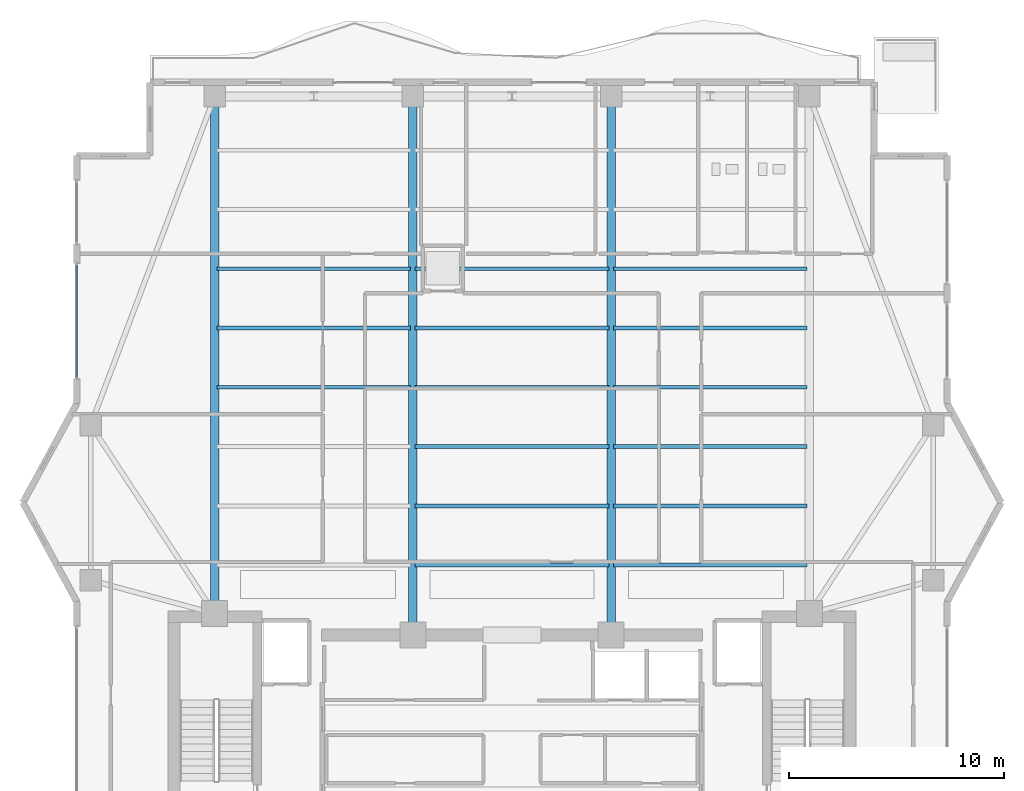
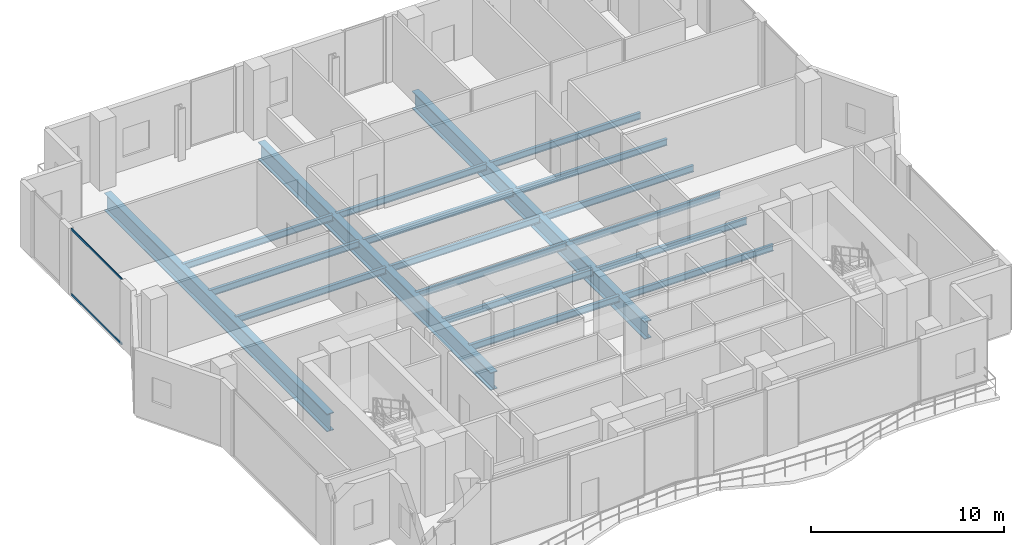
# One storey, part 7 of 24: 18 beams, 2 members, 1 element without a shape of its own.
"""IFC4 building model written with IfcOpenShell, lengths in metres."""

from ifc_helpers import new_model, si_unit, direction, frame, origin, origin_2d, place, context, subcontext, project, spatial, hollow_rectangle, i_section, extrude, material, layer, layer_set, material_profile, profile_set, type_object, element, aggregate, save


model = new_model("IFC4")

# Units and contexts
model_context = context("Model", 3, precision=1e-05, world=origin(), true_north=direction((0.0, 1.0)))
body_context = subcontext(model_context, "Body", "Model", "MODEL_VIEW")
ifc_project = project(units=[si_unit("LENGTHUNIT", "METRE"), si_unit("AREAUNIT", "SQUARE_METRE"), si_unit("VOLUMEUNIT", "CUBIC_METRE"), si_unit("PLANEANGLEUNIT", "RADIAN"), si_unit("MASSUNIT", "GRAM", prefix="KILO")], contexts=[model_context])

# Site, building, storey
site_placement = place(None, origin())
site = spatial("IfcSite", under=ifc_project, at=site_placement, CompositionType="ELEMENT")
building_placement = place(site_placement, origin())
building = spatial("IfcBuilding", under=site, at=building_placement, Name="Zuhayl Quay Hotel", CompositionType="ELEMENT")
storey_placement = place(building_placement, frame((0.0, 0.0, 292.85009765625)))
storey = spatial("IfcBuildingStorey", under=building, at=storey_placement, Name="L74", CompositionType="ELEMENT", Elevation=292.85009765625)

# Beams
ifc_material_1 = material(Name="Steel ASTM A992 Grade 50", Category="steel")
ifc_material_profile_1 = material_profile(ifc_material_1, i_section(OverallWidth=0.177978515625, OverallDepth=0.404052734375, WebThickness=0.007568359375, FlangeThickness=0.010986328125, at=origin_2d()), Name="W16X36")
ifc_profile_set_1 = profile_set([ifc_material_profile_1], Name="Steel ASTM A992 Grade 50")
beam_type_1 = type_object("IfcBeamType", Name="BM_J3_W16X36", PredefinedType="JOIST", material=ifc_profile_set_1)
beam_1_placement = place(storey_placement, frame((-4.493896484375, 16.60009765625, -0.422119140625), z_axis=(1.0, 0.0, 0.0), x_axis=(0.0, 1.0, 0.0)))
element("IfcBeam", 1, at=beam_1_placement, inside=storey, type_object=beam_type_1, Name="L74 Floor Beam FJ_L74_1_2", PredefinedType="JOIST", context=body_context, shape_type="SweptSolid", body=[
    extrude(i_section(OverallWidth=0.177978515625, OverallDepth=0.404052734375, WebThickness=0.007568359375, FlangeThickness=0.010986328125, at=origin_2d()), origin(), (0.0, 0.0, 1.0), 8.98779296875),
])
beam_2_placement = place(storey_placement, frame((4.7060546875, 16.60009765625, -0.422119140625), z_axis=(1.0, 0.0, 0.0), x_axis=(0.0, 1.0, 0.0)))
element("IfcBeam", 2, at=beam_2_placement, inside=storey, type_object=beam_type_1, Name="L74 Floor Beam FJ_L74_1_3", PredefinedType="JOIST", context=body_context, shape_type="SweptSolid", body=[
    extrude(i_section(OverallWidth=0.177978515625, OverallDepth=0.404052734375, WebThickness=0.007568359375, FlangeThickness=0.010986328125, at=origin_2d()), origin(), (0.0, 0.0, 1.0), 8.988037109375),
])
beam_3_placement = place(storey_placement, frame((-4.493896484375, 19.35009765625, -0.422119140625), z_axis=(1.0, 0.0, 0.0), x_axis=(0.0, 1.0, 0.0)))
element("IfcBeam", 3, at=beam_3_placement, inside=storey, type_object=beam_type_1, Name="L74 Floor Beam FJ_L74_2_2", PredefinedType="JOIST", context=body_context, shape_type="SweptSolid", body=[
    extrude(i_section(OverallWidth=0.177978515625, OverallDepth=0.404052734375, WebThickness=0.007568359375, FlangeThickness=0.010986328125, at=origin_2d()), origin(), (0.0, 0.0, 1.0), 8.98779296875),
])
beam_4_placement = place(storey_placement, frame((4.7060546875, 19.35009765625, -0.422119140625), z_axis=(1.0, 0.0, 0.0), x_axis=(0.0, 1.0, 0.0)))
element("IfcBeam", 4, at=beam_4_placement, inside=storey, type_object=beam_type_1, Name="L74 Floor Beam FJ_L74_2_3", PredefinedType="JOIST", context=body_context, shape_type="SweptSolid", body=[
    extrude(i_section(OverallWidth=0.177978515625, OverallDepth=0.404052734375, WebThickness=0.007568359375, FlangeThickness=0.010986328125, at=origin_2d()), origin(), (0.0, 0.0, 1.0), 8.988037109375),
])
beam_5_placement = place(storey_placement, frame((-4.493896484375, 22.10009765625, -0.422119140625), z_axis=(1.0, 0.0, 0.0), x_axis=(0.0, 1.0, 0.0)))
element("IfcBeam", 5, at=beam_5_placement, inside=storey, type_object=beam_type_1, Name="L74 Floor Beam FJ_L74_3_2", PredefinedType="JOIST", context=body_context, shape_type="SweptSolid", body=[
    extrude(i_section(OverallWidth=0.177978515625, OverallDepth=0.404052734375, WebThickness=0.007568359375, FlangeThickness=0.010986328125, at=origin_2d()), origin(), (0.0, 0.0, 1.0), 8.98779296875),
])
for number, where, z_axis, x_axis, name in (
    (6, (4.7060546875, 22.10009765625, -0.422119140625), (1.0, 0.0, 0.0), (0.0, 1.0, 0.0), "L74 Floor Beam FJ_L74_3_3"),
    (7, (-13.694091796875, 24.85009765625, -0.422119140625), (1.0, 0.0, 0.0), (0.0, 1.0, 0.0), "L74 Floor Beam FJ_L74_4_1"),
):
    element("IfcBeam", number, at=place(storey_placement, frame(where, z_axis=z_axis, x_axis=x_axis)), inside=storey, type_object=beam_type_1, Name=name, PredefinedType="JOIST", context=body_context, shape_type="SweptSolid", body=[
        extrude(i_section(OverallWidth=0.177978515625, OverallDepth=0.404052734375, WebThickness=0.007568359375, FlangeThickness=0.010986328125, at=origin_2d()), origin(), (0.0, 0.0, 1.0), 8.988037109375),
    ])
beam_6_placement = place(storey_placement, frame((-4.493896484375, 24.85009765625, -0.422119140625), z_axis=(1.0, 0.0, 0.0), x_axis=(0.0, 1.0, 0.0)))
element("IfcBeam", 8, at=beam_6_placement, inside=storey, type_object=beam_type_1, Name="L74 Floor Beam FJ_L74_4_2", PredefinedType="JOIST", context=body_context, shape_type="SweptSolid", body=[
    extrude(i_section(OverallWidth=0.177978515625, OverallDepth=0.404052734375, WebThickness=0.007568359375, FlangeThickness=0.010986328125, at=origin_2d()), origin(), (0.0, 0.0, 1.0), 8.98779296875),
])
for number, where, z_axis, x_axis, name in (
    (9, (4.7060546875, 24.85009765625, -0.422119140625), (1.0, 0.0, 0.0), (0.0, 1.0, 0.0), "L74 Floor Beam FJ_L74_4_3"),
    (10, (-13.694091796875, 27.60009765625, -0.422119140625), (1.0, 0.0, 0.0), (0.0, 1.0, 0.0), "L74 Floor Beam FJ_L74_5_1"),
):
    element("IfcBeam", number, at=place(storey_placement, frame(where, z_axis=z_axis, x_axis=x_axis)), inside=storey, type_object=beam_type_1, Name=name, PredefinedType="JOIST", context=body_context, shape_type="SweptSolid", body=[
        extrude(i_section(OverallWidth=0.177978515625, OverallDepth=0.404052734375, WebThickness=0.007568359375, FlangeThickness=0.010986328125, at=origin_2d()), origin(), (0.0, 0.0, 1.0), 8.988037109375),
    ])
beam_7_placement = place(storey_placement, frame((-4.493896484375, 27.60009765625, -0.422119140625), z_axis=(1.0, 0.0, 0.0), x_axis=(0.0, 1.0, 0.0)))
element("IfcBeam", 11, at=beam_7_placement, inside=storey, type_object=beam_type_1, Name="L74 Floor Beam FJ_L74_5_2", PredefinedType="JOIST", context=body_context, shape_type="SweptSolid", body=[
    extrude(i_section(OverallWidth=0.177978515625, OverallDepth=0.404052734375, WebThickness=0.007568359375, FlangeThickness=0.010986328125, at=origin_2d()), origin(), (0.0, 0.0, 1.0), 8.98779296875),
])
for number, where, z_axis, x_axis, name in (
    (12, (4.7060546875, 27.60009765625, -0.422119140625), (1.0, 0.0, 0.0), (0.0, 1.0, 0.0), "L74 Floor Beam FJ_L74_5_3"),
    (13, (-13.694091796875, 30.35009765625, -0.422119140625), (1.0, 0.0, 0.0), (0.0, 1.0, 0.0), "L74 Floor Beam FJ_L74_6_1"),
):
    element("IfcBeam", number, at=place(storey_placement, frame(where, z_axis=z_axis, x_axis=x_axis)), inside=storey, type_object=beam_type_1, Name=name, PredefinedType="JOIST", context=body_context, shape_type="SweptSolid", body=[
        extrude(i_section(OverallWidth=0.177978515625, OverallDepth=0.404052734375, WebThickness=0.007568359375, FlangeThickness=0.010986328125, at=origin_2d()), origin(), (0.0, 0.0, 1.0), 8.988037109375),
    ])
beam_8_placement = place(storey_placement, frame((-4.493896484375, 30.35009765625, -0.422119140625), z_axis=(1.0, 0.0, 0.0), x_axis=(0.0, 1.0, 0.0)))
element("IfcBeam", 14, at=beam_8_placement, inside=storey, type_object=beam_type_1, Name="L74 Floor Beam FJ_L74_6_2", PredefinedType="JOIST", context=body_context, shape_type="SweptSolid", body=[
    extrude(i_section(OverallWidth=0.177978515625, OverallDepth=0.404052734375, WebThickness=0.007568359375, FlangeThickness=0.010986328125, at=origin_2d()), origin(), (0.0, 0.0, 1.0), 8.98779296875),
])
beam_9_placement = place(storey_placement, frame((4.7060546875, 30.35009765625, -0.422119140625), z_axis=(1.0, 0.0, 0.0), x_axis=(0.0, 1.0, 0.0)))
element("IfcBeam", 15, at=beam_9_placement, inside=storey, type_object=beam_type_1, Name="L74 Floor Beam FJ_L74_6_3", PredefinedType="JOIST", context=body_context, shape_type="SweptSolid", body=[
    extrude(i_section(OverallWidth=0.177978515625, OverallDepth=0.404052734375, WebThickness=0.007568359375, FlangeThickness=0.010986328125, at=origin_2d()), origin(), (0.0, 0.0, 1.0), 8.988037109375),
])
ifc_material_2 = material(Name="Steel ASTM A913 Grade 65", Category="steel")
ifc_material_profile_2 = material_profile(ifc_material_2, i_section(OverallWidth=0.404052734375, OverallDepth=1.117919921875, WebThickness=0.026123046875, FlangeThickness=0.044921875, at=origin_2d()), Name="W44X335")
ifc_profile_set_2 = profile_set([ifc_material_profile_2], Name="Steel ASTM A913 Grade 65")
beam_type_2 = type_object("IfcBeamType", Name="BM_TG1_W44X335", PredefinedType="BEAM", material=ifc_profile_set_2)
beam_10_placement = place(storey_placement, frame((-13.800048828125, 14.800048828125, -0.779052734375), z_axis=(0.0, 1.0, 0.0), x_axis=(-1.0, 0.0, 0.0)))
element("IfcBeam", 16, at=beam_10_placement, inside=storey, type_object=beam_type_2, Name="L74 Floor Beam FG_N_L74_1", PredefinedType="BEAM", context=body_context, shape_type="SweptSolid", body=[
    extrude(i_section(OverallWidth=0.404052734375, OverallDepth=1.117919921875, WebThickness=0.026123046875, FlangeThickness=0.044921875, at=origin_2d()), origin(), (0.0, 0.0, 1.0), 23.08984375),
])
for number, where, z_axis, x_axis, name in (
    (17, (-4.60009765625, 13.800048828125, -0.779052734375), (0.0, 1.0, 0.0), (-1.0, 0.0, 0.0), "L74 Floor Beam FG_N_L74_2"),
    (18, (4.60009765625, 13.800048828125, -0.779052734375), (0.0, 1.0, 0.0), (-1.0, 0.0, 0.0), "L74 Floor Beam FG_N_L74_3"),
):
    element("IfcBeam", number, at=place(storey_placement, frame(where, z_axis=z_axis, x_axis=x_axis)), inside=storey, type_object=beam_type_2, Name=name, PredefinedType="BEAM", context=body_context, shape_type="SweptSolid", body=[
        extrude(i_section(OverallWidth=0.404052734375, OverallDepth=1.117919921875, WebThickness=0.026123046875, FlangeThickness=0.044921875, at=origin_2d()), origin(), (0.0, 0.0, 1.0), 24.08984375),
    ])

# Curtain wall, members
ifc_material_3 = material(Name="Anodised Aluminium 6063-T6", Category="aluminium")
ifc_layer = layer(ifc_material_3, 0.169921875, Name="Anodised Aluminium 6063-T6", Category="aluminium")
ifc_layer_set = layer_set([ifc_layer], Name="Anodised Aluminium 6063-T6")
curtain_wall_type = type_object("IfcCurtainWallType", Name="CW_SYS_Z4", PredefinedType="USERDEFINED", material=ifc_layer_set)
curtain_wall_placement = place(storey_placement, origin())
curtain_wall = element("IfcCurtainWall", 19, at=curtain_wall_placement, inside=storey, type_object=curtain_wall_type, Name="L74 Curtain Wall ENV_L74_E05_CW1", ObjectType="UNITISED CURTAIN WALL", PredefinedType="USERDEFINED")
ifc_material_4 = material(Name="Black-anodised aluminium 6063-T6", Category="aluminium")
ifc_material_profile_3 = material_profile(ifc_material_4, hollow_rectangle(XDim=0.054931640625, YDim=0.1298828125, WallThickness=0.0029296875, at=origin_2d()), Name="ALU130X55")
ifc_profile_set_3 = profile_set([ifc_material_profile_3], Name="Black-anodised aluminium 6063-T6")
member_type = type_object("IfcMemberType", Name="MB_CW_TRN_130", PredefinedType="USERDEFINED", material=ifc_profile_set_3)
member_1_placement = place(storey_placement, frame((-20.199951171875, 25.31494140625, 0.02734375), z_axis=(0.0, 1.0, 0.0), x_axis=(-1.0, 0.0, 0.0)))
member_1 = element("IfcMember", 20, at=member_1_placement, type_object=member_type, Name="CW-Z4 transom 1.1", ObjectType="TRANSOM", PredefinedType="USERDEFINED", context=body_context, shape_type="SweptSolid", body=[
    extrude(hollow_rectangle(XDim=0.054931640625, YDim=0.1298828125, WallThickness=0.0029296875, at=origin_2d()), origin(), (0.0, 0.0, 1.0), 5.2099609375),
])
member_2_placement = place(storey_placement, frame((-20.199951171875, 25.31494140625, 4.13232421875), z_axis=(0.0, 1.0, 0.0), x_axis=(-1.0, 0.0, 0.0)))
member_2 = element("IfcMember", 21, at=member_2_placement, type_object=member_type, Name="CW-Z4 transom 1.2", ObjectType="TRANSOM", PredefinedType="USERDEFINED", context=body_context, shape_type="SweptSolid", body=[
    extrude(hollow_rectangle(XDim=0.054931640625, YDim=0.1298828125, WallThickness=0.0029296875, at=origin_2d()), origin(), (0.0, 0.0, 1.0), 5.2099609375),
])
aggregate(curtain_wall, [member_1, member_2])

save(model, "model.ifc")
